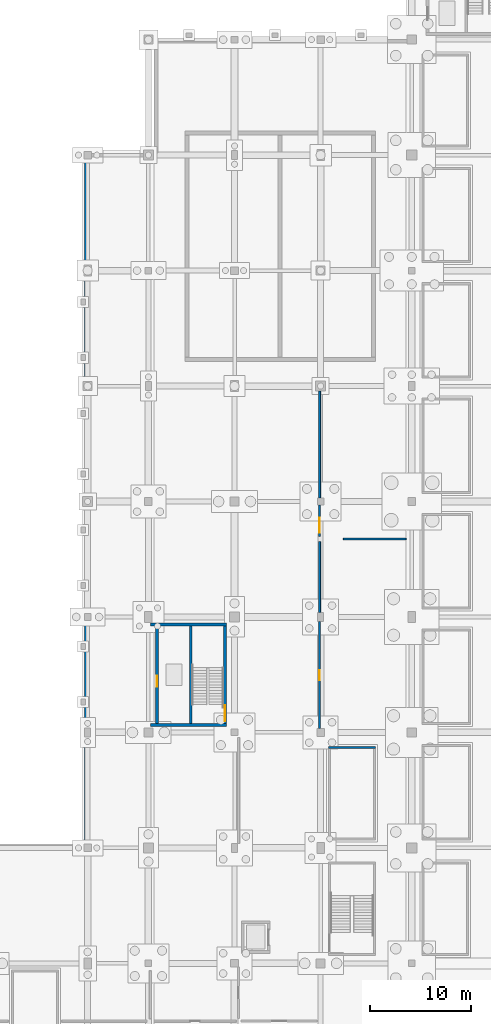
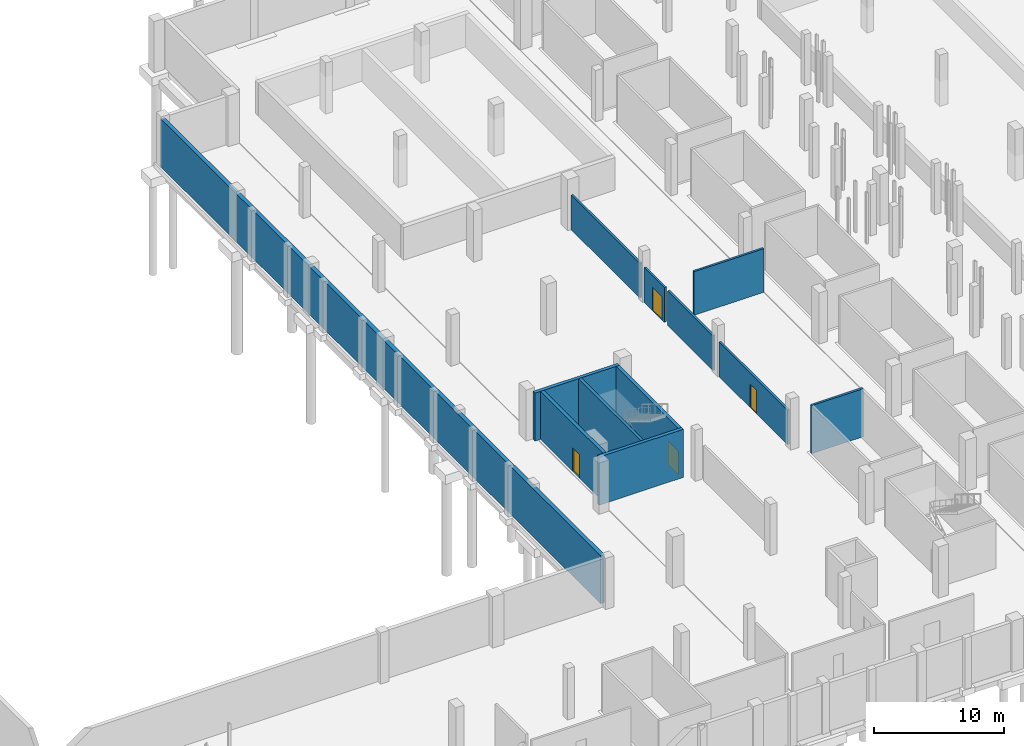
# One storey, part 25 of 34: 12 walls, 4 doors, 4 openings.
"""IFC4 building model written with IfcOpenShell, lengths in metres."""

from ifc_helpers import new_model, si_unit, direction, frame, frame_2d, origin, place, context, subcontext, project, spatial, rectangle, extrude, material, layer, layer_set, type_object, element, fill, save


model = new_model("IFC4")

# Units and contexts
model_context = context("Model", 3, precision=1e-05, world=origin(), true_north=direction((0.0, 1.0)))
body_context = subcontext(model_context, "Body", "Model", "MODEL_VIEW")
ifc_project = project(units=[si_unit("LENGTHUNIT", "METRE"), si_unit("AREAUNIT", "SQUARE_METRE"), si_unit("VOLUMEUNIT", "CUBIC_METRE"), si_unit("PLANEANGLEUNIT", "RADIAN"), si_unit("MASSUNIT", "GRAM", prefix="KILO"), si_unit("POWERUNIT", "WATT"), si_unit("THERMODYNAMICTEMPERATUREUNIT", "KELVIN")], contexts=[model_context])

# Site, building, storey
site_placement = place(None, origin())
site = spatial("IfcSite", under=ifc_project, at=site_placement, CompositionType="ELEMENT")
building_placement = place(site_placement, origin())
building = spatial("IfcBuilding", under=site, at=building_placement, Name="Kelmbourne Parkland Aquatics Centre", CompositionType="ELEMENT")
storey_placement = place(building_placement, frame((0.0, 0.0, -4.800048828125)))
storey = spatial("IfcBuildingStorey", under=building, at=storey_placement, Name="B1", CompositionType="ELEMENT", Elevation=-4.800048828125)

# Walls
ifc_material_1 = material(Name="Concrete C40/50", Category="concrete")
ifc_layer_1 = layer(ifc_material_1, 0.25)
ifc_layer_set_1 = layer_set([ifc_layer_1], Name="Concrete C40/50")
wall_type_1 = type_object("IfcWallType", Name="W-CORE-250", PredefinedType="SHEAR", material=ifc_layer_set_1)
wall_1_placement = place(storey_placement, frame((106.199951171875, 35.89990234375, 0.0), z_axis=(0.0, 0.0, 1.0), x_axis=(0.0, 1.0, 0.0)))
element("IfcWall", 1, at=wall_1_placement, inside=storey, type_object=wall_type_1, Name="East Spine Club and Village Core divider wall (B1)", PredefinedType="SHEAR", context=body_context, shape_type="SweptSolid", body=[
    extrude(rectangle(XDim=9.60009765625, YDim=0.25, at=frame_2d((4.800048828125, 0.0))), origin(), (0.0, 0.0, 1.0), 4.52001953125),
])
ifc_layer_2 = layer(ifc_material_1, 0.300048828125)
ifc_layer_set_2 = layer_set([ifc_layer_2], Name="Concrete C40/50")
wall_type_2 = type_object("IfcWallType", Name="W-CORE-300", PredefinedType="SHEAR", material=ifc_layer_set_2)
for number, where, z_axis, x_axis, name in (
    (2, (102.199951171875, 35.75, 0.0), (0.0, 0.0, 1.0), (1.0, 0.0, 0.0), "East Spine Club and Village Core south wall (B1)"),
    (3, (102.199951171875, 45.64990234375, 0.0), (0.0, 0.0, 1.0), (1.0, 0.0, 0.0), "East Spine Club and Village Core north wall (B1)"),
):
    element("IfcWall", number, at=place(storey_placement, frame(where, z_axis=z_axis, x_axis=x_axis)), inside=storey, type_object=wall_type_2, Name=name, PredefinedType="SHEAR", context=body_context, shape_type="SweptSolid", body=[
        extrude(rectangle(XDim=7.5, YDim=0.300048828125, at=frame_2d((3.75, 0.0))), origin(), (0.0, 0.0, 1.0), 4.52001953125),
    ])

# Wall, opening, door
wall_2_placement = place(storey_placement, frame((102.85009765625, 35.89990234375, 0.0), z_axis=(0.0, 0.0, 1.0), x_axis=(0.0, 1.0, 0.0)))
wall_2 = element("IfcWall", 4, at=wall_2_placement, inside=storey, type_object=wall_type_2, Name="East Spine Club and Village Core west wall (B1)", PredefinedType="SHEAR", context=body_context, shape_type="SweptSolid", body=[
    extrude(rectangle(XDim=9.60009765625, YDim=0.300048828125, at=frame_2d((4.800048828125, 0.0))), origin(), (0.0, 0.0, 1.0), 4.52001953125),
])
opening_1_placement = place(wall_2_placement, frame((3.60009765625, 0.0, 0.0)))
opening_1 = element("IfcOpeningElement", 5, at=opening_1_placement, cuts=wall_2, Name="Opening LD01", PredefinedType="OPENING", context=body_context, shape_type="SweptSolid", body=[
    extrude(rectangle(XDim=1.10009765625, YDim=2.199951171875, at=frame_2d((0.550048828125, 1.10009765625))), frame((0.0, 0.162109375, 0.0), z_axis=(0.0, -1.0, 0.0), x_axis=(1.0, 0.0, 0.0)), (0.0, 0.0, 1.0), 0.323974609375),
])
ifc_material_2 = material(Name="Marine-grade stainless steel and fire-rated hardwood doorset", Category="steel")
ifc_layer_3 = layer(ifc_material_2, 0.050048828125)
ifc_layer_set_3 = layer_set([ifc_layer_3], Name="Marine-grade stainless steel and fire-rated hardwood doorset")
door_type_1 = type_object("IfcDoorType", Name="DR-LD-110", OperationType="NOTDEFINED", PredefinedType="DOOR", material=ifc_layer_set_3)
door_1_placement = place(opening_1_placement, origin())
door_1 = element("IfcDoor", 6, at=door_1_placement, inside=storey, type_object=door_type_1, Name="Lift landing sliding door LF05 (B1)", OperationType="SLIDING_TO_LEFT", OverallHeight=2.199951171875, OverallWidth=1.10009765625, PredefinedType="DOOR", context=body_context, shape_type="SweptSolid", body=[
    extrude(rectangle(XDim=1.10009765625, YDim=2.199951171875, at=frame_2d((0.550048828125, 1.10009765625))), frame((0.0, 0.02490234375, 0.0), z_axis=(0.0, -1.0, 0.0), x_axis=(1.0, 0.0, 0.0)), (0.0, 0.0, 1.0), 0.050048828125),
])
fill(opening_1, door_1)

wall_3_placement = place(storey_placement, frame((109.550048828125, 35.89990234375, 0.0), z_axis=(0.0, 0.0, 1.0), x_axis=(0.0, 1.0, 0.0)))
wall_3 = element("IfcWall", 7, at=wall_3_placement, inside=storey, type_object=wall_type_2, Name="East Spine Club and Village Core east wall (B1)", PredefinedType="SHEAR", context=body_context, shape_type="SweptSolid", body=[
    extrude(rectangle(XDim=9.60009765625, YDim=0.300048828125, at=frame_2d((4.800048828125, 0.0))), origin(), (0.0, 0.0, 1.0), 4.52001953125),
])
opening_2_placement = place(wall_3_placement, frame((0.199951171875, 0.0, 0.0)))
opening_2 = element("IfcOpeningElement", 8, at=opening_2_placement, cuts=wall_3, Name="Opening FD02", PredefinedType="OPENING", context=body_context, shape_type="SweptSolid", body=[
    extrude(rectangle(XDim=1.60009765625, YDim=2.199951171875, at=frame_2d((0.800048828125, 1.10009765625))), frame((0.0, 0.162109375, 0.0), z_axis=(0.0, -1.0, 0.0), x_axis=(1.0, 0.0, 0.0)), (0.0, 0.0, 1.0), 0.323974609375),
])
ifc_layer_4 = layer(ifc_material_2, 0.050048828125)
ifc_layer_set_4 = layer_set([ifc_layer_4], Name="Marine-grade stainless steel and fire-rated hardwood doorset")
door_type_2 = type_object("IfcDoorType", Name="DR-FD-160", OperationType="NOTDEFINED", PredefinedType="DOOR", material=ifc_layer_set_4)
door_2_placement = place(opening_2_placement, frame((1.60009765625, 0.0, 0.0), z_axis=(0.0, 0.0, 1.0), x_axis=(-1.0, 0.0, 0.0)))
door_2 = element("IfcDoor", 9, at=door_2_placement, inside=storey, type_object=door_type_2, Name="Fire stair door ST04 (B1)", OperationType="DOUBLE_DOOR_SINGLE_SWING", OverallHeight=2.199951171875, OverallWidth=1.60009765625, PredefinedType="DOOR", context=body_context, shape_type="SweptSolid", body=[
    extrude(rectangle(XDim=1.60009765625, YDim=2.199951171875, at=frame_2d((0.800048828125, 1.10009765625))), frame((0.0, 0.02490234375, 0.0), z_axis=(0.0, -1.0, 0.0), x_axis=(1.0, 0.0, 0.0)), (0.0, 0.0, 1.0), 0.050048828125),
])
fill(opening_2, door_2)

# Walls
ifc_material_3 = material(Name="Concrete blockwork C32/40", Category="masonry")
ifc_layer_5 = layer(ifc_material_3, 0.199951171875)
ifc_layer_set_5 = layer_set([ifc_layer_5], Name="Concrete blockwork C32/40")
wall_type_3 = type_object("IfcWallType", Name="W-FIRE-200", PredefinedType="SOLIDWALL", material=ifc_layer_set_5)
wall_4_placement = place(storey_placement, frame((119.800048828125, 33.5, 0.0), z_axis=(0.0, 0.0, 1.0), x_axis=(1.0, 0.0, 0.0)))
element("IfcWall", 10, at=wall_4_placement, inside=storey, type_object=wall_type_3, Name="East Club Terrace Exit Stair substructure wall N", PredefinedType="SOLIDWALL", context=body_context, shape_type="SweptSolid", body=[
    extrude(rectangle(XDim=4.599853515625, YDim=0.199951171875, at=frame_2d((2.2998046875, 0.0))), origin(), (0.0, 0.0, 1.0), 4.52001953125),
])
ifc_layer_6 = layer(ifc_material_1, 0.35009765625)
ifc_layer_set_6 = layer_set([ifc_layer_6], Name="Concrete C40/50")
wall_type_4 = type_object("IfcWallType", Name="W-RET-350", PredefinedType="SHEAR", material=ifc_layer_set_6)
wall_5_placement = place(storey_placement, frame((95.85009765625, 24.10009765625, 0.0), z_axis=(0.0, 0.0, 1.0), x_axis=(0.0, 1.0, 0.0)))
element("IfcWall", 11, at=wall_5_placement, inside=storey, type_object=wall_type_4, Name="Basement retaining wall RET-V6E", PredefinedType="SHEAR", context=body_context, shape_type="SweptSolid", body=[
    extrude(rectangle(XDim=67.699951171875, YDim=0.35009765625, at=frame_2d((33.85009765625, 0.0))), origin(), (0.0, 0.0, 1.0), 4.52001953125),
])

# Wall, opening, door
ifc_layer_7 = layer(ifc_material_3, 0.18994140625)
ifc_layer_set_7 = layer_set([ifc_layer_7], Name="Concrete blockwork C32/40")
wall_type_5 = type_object("IfcWallType", Name="W-SOLID-190", PredefinedType="SOLIDWALL", material=ifc_layer_set_7)
wall_6_placement = place(storey_placement, frame((118.89990234375, 35.376953125, 0.0), z_axis=(0.0, 0.0, 1.0), x_axis=(0.0, 1.0, 0.0)))
wall_6 = element("IfcWall", 12, at=wall_6_placement, inside=storey, type_object=wall_type_5, Name="Interior partition PT-B1-021", PredefinedType="SOLIDWALL", context=body_context, shape_type="SweptSolid", body=[
    extrude(rectangle(XDim=10.571044921875, YDim=0.18994140625, at=frame_2d((5.28564453125, 0.0))), origin(), (0.0, 0.0, 1.0), 3.255126953125),
])
opening_3_placement = place(wall_6_placement, frame((4.785400390625, 0.0, 0.0)))
opening_3 = element("IfcOpeningElement", 13, at=opening_3_placement, cuts=wall_6, Name="Opening FD04", PredefinedType="OPENING", context=body_context, shape_type="SweptSolid", body=[
    extrude(rectangle(XDim=1.0, YDim=2.199951171875, at=frame_2d((0.5, 1.10009765625))), frame((0.0, 0.10693359375, 0.0), z_axis=(0.0, -1.0, 0.0), x_axis=(1.0, 0.0, 0.0)), (0.0, 0.0, 1.0), 0.2138671875),
])
ifc_layer_8 = layer(ifc_material_2, 0.050048828125)
ifc_layer_set_8 = layer_set([ifc_layer_8], Name="Marine-grade stainless steel and fire-rated hardwood doorset")
door_type_3 = type_object("IfcDoorType", Name="DR-FD-100", OperationType="NOTDEFINED", PredefinedType="DOOR", material=ifc_layer_set_8)
door_3_placement = place(opening_3_placement, origin())
door_3 = element("IfcDoor", 14, at=door_3_placement, inside=storey, type_object=door_type_3, Name="Interior door FD04 (B1-013)", OperationType="SINGLE_SWING_RIGHT", OverallHeight=2.199951171875, OverallWidth=1.0, PredefinedType="DOOR", context=body_context, shape_type="SweptSolid", body=[
    extrude(rectangle(XDim=1.0, YDim=2.199951171875, at=frame_2d((0.5, 1.10009765625))), frame((0.0, 0.02490234375, 0.0), z_axis=(0.0, -1.0, 0.0), x_axis=(1.0, 0.0, 0.0)), (0.0, 0.0, 1.0), 0.050048828125),
])
fill(opening_3, door_3)

# Wall
wall_7_placement = place(storey_placement, frame((118.89990234375, 46.85205078125, 0.0), z_axis=(0.0, 0.0, 1.0), x_axis=(0.0, 1.0, 0.0)))
element("IfcWall", 15, at=wall_7_placement, inside=storey, type_object=wall_type_5, Name="Interior partition PT-B1-022", PredefinedType="SOLIDWALL", context=body_context, shape_type="SweptSolid", body=[
    extrude(rectangle(XDim=6.998046875, YDim=0.18994140625, at=frame_2d((3.4990234375, 0.0))), origin(), (0.0, 0.0, 1.0), 3.255126953125),
])

# Wall, opening, door
wall_8_placement = place(storey_placement, frame((118.89990234375, 54.35009765625, 0.0), z_axis=(0.0, 0.0, 1.0), x_axis=(0.0, 1.0, 0.0)))
wall_8 = element("IfcWall", 16, at=wall_8_placement, inside=storey, type_object=wall_type_5, Name="Interior partition PT-B1-023", PredefinedType="SOLIDWALL", context=body_context, shape_type="SweptSolid", body=[
    extrude(rectangle(XDim=3.122802734375, YDim=0.18994140625, at=frame_2d((1.5615234375, 0.0))), origin(), (0.0, 0.0, 1.0), 3.255126953125),
])
opening_4_placement = place(wall_8_placement, frame((0.343017578125, 0.0, 0.0)))
opening_4 = element("IfcOpeningElement", 17, at=opening_4_placement, cuts=wall_8, Name="Opening ID02", PredefinedType="OPENING", context=body_context, shape_type="SweptSolid", body=[
    extrude(rectangle(XDim=1.5, YDim=2.199951171875, at=frame_2d((0.75, 1.10009765625))), frame((0.0, 0.10693359375, 0.0), z_axis=(0.0, -1.0, 0.0), x_axis=(1.0, 0.0, 0.0)), (0.0, 0.0, 1.0), 0.2138671875),
])
ifc_material_4 = material(Name="Marine-grade stainless steel and solid-core hardwood doorset", Category="timber")
ifc_layer_9 = layer(ifc_material_4, 0.050048828125)
ifc_layer_set_9 = layer_set([ifc_layer_9], Name="Marine-grade stainless steel and solid-core hardwood doorset")
door_type_4 = type_object("IfcDoorType", Name="DR-INT-150", OperationType="NOTDEFINED", PredefinedType="DOOR", material=ifc_layer_set_9)
door_4_placement = place(opening_4_placement, origin())
door_4 = element("IfcDoor", 18, at=door_4_placement, inside=storey, type_object=door_type_4, Name="Interior door ID02 (B1-014)", OperationType="DOUBLE_DOOR_SINGLE_SWING", OverallHeight=2.199951171875, OverallWidth=1.5, PredefinedType="DOOR", context=body_context, shape_type="SweptSolid", body=[
    extrude(rectangle(XDim=1.5, YDim=2.199951171875, at=frame_2d((0.75, 1.10009765625))), frame((0.0, 0.02490234375, 0.0), z_axis=(0.0, -1.0, 0.0), x_axis=(1.0, 0.0, 0.0)), (0.0, 0.0, 1.0), 0.050048828125),
])
fill(opening_4, door_4)

# Walls
wall_9_placement = place(storey_placement, frame((118.89990234375, 58.126953125, 0.0), z_axis=(0.0, 0.0, 1.0), x_axis=(0.0, 1.0, 0.0)))
element("IfcWall", 19, at=wall_9_placement, inside=storey, type_object=wall_type_5, Name="Interior partition PT-B1-024", PredefinedType="SOLIDWALL", context=body_context, shape_type="SweptSolid", body=[
    extrude(rectangle(XDim=10.571044921875, YDim=0.18994140625, at=frame_2d((5.28564453125, 0.0))), origin(), (0.0, 0.0, 1.0), 3.255126953125),
])
wall_10_placement = place(storey_placement, frame((121.25, 54.10009765625, 0.0), z_axis=(0.0, 0.0, 1.0), x_axis=(1.0, 0.0, 0.0)))
element("IfcWall", 20, at=wall_10_placement, inside=storey, type_object=wall_type_5, Name="Interior partition PT-B1-025", PredefinedType="SOLIDWALL", context=body_context, shape_type="SweptSolid", body=[
    extrude(rectangle(XDim=6.199951171875, YDim=0.18994140625, at=frame_2d((3.10009765625, 0.0))), origin(), (0.0, 0.0, 1.0), 4.09912109375),
])

save(model, "model.ifc")
